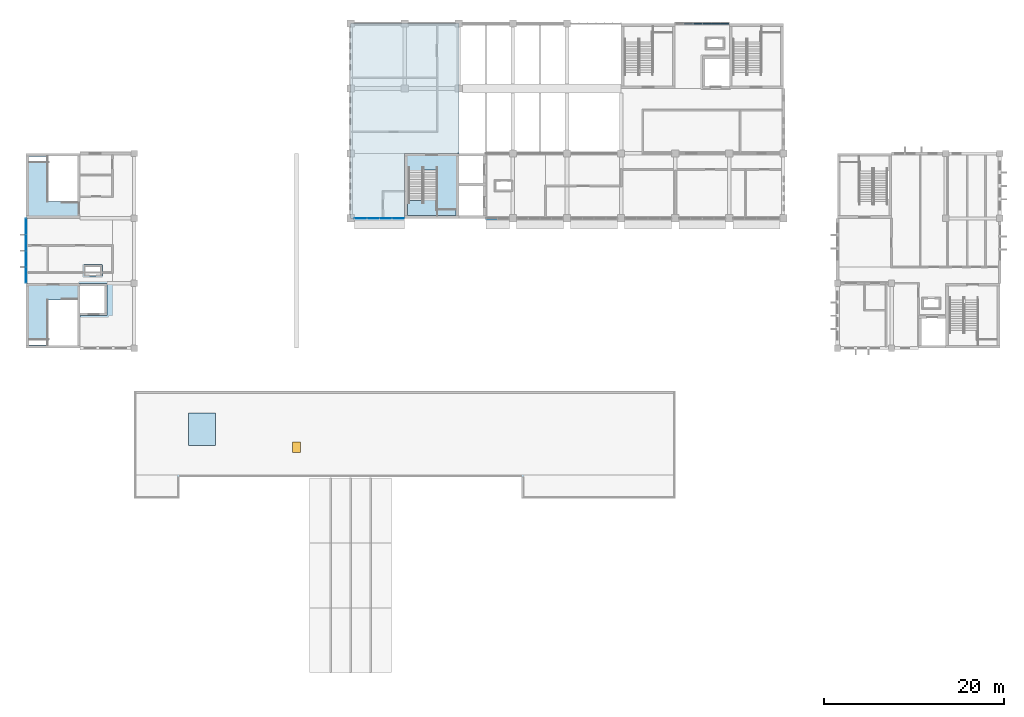
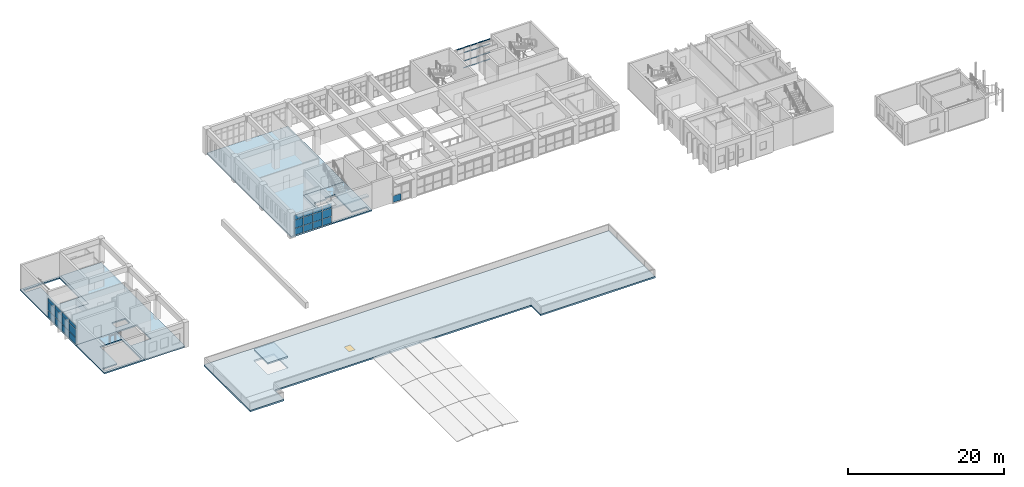
# One storey, part 25 of 47: 25 plates, 17 members, 8 slabs, 1 window, 1 opening, 5 elements without a shape of their own.
"""IFC4 building model written with IfcOpenShell, lengths in metres."""

from ifc_helpers import new_model, si_unit, direction, frame, origin, origin_2d, place, context, subcontext, project, spatial, polyline, rectangle, hollow_rectangle, outline, extrude, material, layer, layer_set, material_profile, profile_set, type_object, element, fill, aggregate, save


model = new_model("IFC4")

# Units and contexts
model_context = context("Model", 3, precision=1e-05, world=origin(), true_north=direction((0.0, 1.0)))
body_context = subcontext(model_context, "Body", "Model", "MODEL_VIEW")
ifc_project = project(units=[si_unit("LENGTHUNIT", "METRE"), si_unit("AREAUNIT", "SQUARE_METRE"), si_unit("VOLUMEUNIT", "CUBIC_METRE"), si_unit("PLANEANGLEUNIT", "RADIAN"), si_unit("MASSUNIT", "GRAM", prefix="KILO")], contexts=[model_context])

# Site, building, storey
site_placement = place(None, origin())
site = spatial("IfcSite", under=ifc_project, at=site_placement, CompositionType="ELEMENT")
building_placement = place(site_placement, origin())
building = spatial("IfcBuilding", under=site, at=building_placement, Name="Laocheng Heights Fire and Rescue Headquarters", CompositionType="ELEMENT")
storey_placement = place(building_placement, frame((0.0, 0.0, 16.800048828125)))
storey = spatial("IfcBuildingStorey", under=building, at=storey_placement, Name="L04", CompositionType="ELEMENT", Elevation=16.800048828125)

# Curtain wall, members
ifc_material_1 = material(Name="Dark anodised aluminium unitised curtain wall, low-e double glazing", Category="aluminium")
curtain_wall_type_1 = type_object("IfcCurtainWallType", Name="CW 6000 x 3200 HQ CONTROL ROOM FACE", PredefinedType="NOTDEFINED", material=ifc_material_1)
curtain_wall_1_placement = place(storey_placement, origin())
curtain_wall_1 = element("IfcCurtainWall", 1, at=curtain_wall_1_placement, inside=storey, type_object=curtain_wall_type_1, Name="X23-X HQ NORTH L04", PredefinedType="NOTDEFINED")
ifc_material_2 = material(Name="Dark anodised aluminium 6063-T5 extrusion", Category="aluminium")
ifc_material_profile = material_profile(ifc_material_2, hollow_rectangle(XDim=0.10009765625, YDim=0.050048828125, WallThickness=0.0029296875, at=origin_2d()), Name="AL TRANSOM 100x50x3 HQ CONTROL ROOM FACE")
ifc_profile_set = profile_set([ifc_material_profile], Name="Dark anodised aluminium 6063-T5 extrusion")
member_type = type_object("IfcMemberType", Name="AL TRANSOM 100x50x3 HQ CONTROL ROOM FACE", PredefinedType="USERDEFINED", material=ifc_profile_set)
member_1_placement = place(storey_placement, frame((73.030029296875, 72.0, 3.175048828125), z_axis=(1.0, 0.0, 0.0), x_axis=(0.0, 1.0, 0.0)))
member_1 = element("IfcMember", 2, at=member_1_placement, type_object=member_type, Name="X23-X transom 2.4", ObjectType="TRANSOM", PredefinedType="USERDEFINED", context=body_context, shape_type="SweptSolid", body=[
    extrude(hollow_rectangle(XDim=0.10009765625, YDim=0.050048828125, WallThickness=0.0029296875, at=origin_2d()), origin(), (0.0, 0.0, 1.0), 0.93994140625),
])
member_2_placement = place(storey_placement, frame((74.030029296875, 72.0, 0.02490234375), z_axis=(1.0, 0.0, 0.0), x_axis=(0.0, 1.0, 0.0)))
member_2 = element("IfcMember", 3, at=member_2_placement, type_object=member_type, Name="X23-X transom 3.1", ObjectType="TRANSOM", PredefinedType="USERDEFINED", context=body_context, shape_type="SweptSolid", body=[
    extrude(hollow_rectangle(XDim=0.10009765625, YDim=0.050048828125, WallThickness=0.0029296875, at=origin_2d()), origin(), (0.0, 0.0, 1.0), 0.93994140625),
])
member_3_placement = place(storey_placement, frame((74.030029296875, 72.0, 1.099853515625), z_axis=(1.0, 0.0, 0.0), x_axis=(0.0, 1.0, 0.0)))
member_3 = element("IfcMember", 4, at=member_3_placement, type_object=member_type, Name="X23-X transom 3.2", ObjectType="TRANSOM", PredefinedType="USERDEFINED", context=body_context, shape_type="SweptSolid", body=[
    extrude(hollow_rectangle(XDim=0.10009765625, YDim=0.050048828125, WallThickness=0.0029296875, at=origin_2d()), origin(), (0.0, 0.0, 1.0), 0.93994140625),
])
member_4_placement = place(storey_placement, frame((74.030029296875, 72.0, 2.39990234375), z_axis=(1.0, 0.0, 0.0), x_axis=(0.0, 1.0, 0.0)))
member_4 = element("IfcMember", 5, at=member_4_placement, type_object=member_type, Name="X23-X transom 3.3", ObjectType="TRANSOM", PredefinedType="USERDEFINED", context=body_context, shape_type="SweptSolid", body=[
    extrude(hollow_rectangle(XDim=0.10009765625, YDim=0.050048828125, WallThickness=0.0029296875, at=origin_2d()), origin(), (0.0, 0.0, 1.0), 0.93994140625),
])
member_5_placement = place(storey_placement, frame((74.030029296875, 72.0, 3.175048828125), z_axis=(1.0, 0.0, 0.0), x_axis=(0.0, 1.0, 0.0)))
member_5 = element("IfcMember", 6, at=member_5_placement, type_object=member_type, Name="X23-X transom 3.4", ObjectType="TRANSOM", PredefinedType="USERDEFINED", context=body_context, shape_type="SweptSolid", body=[
    extrude(hollow_rectangle(XDim=0.10009765625, YDim=0.050048828125, WallThickness=0.0029296875, at=origin_2d()), origin(), (0.0, 0.0, 1.0), 0.93994140625),
])
member_6_placement = place(storey_placement, frame((75.030029296875, 72.0, 0.02490234375), z_axis=(1.0, 0.0, 0.0), x_axis=(0.0, 1.0, 0.0)))
member_6 = element("IfcMember", 7, at=member_6_placement, type_object=member_type, Name="X23-X transom 4.1", ObjectType="TRANSOM", PredefinedType="USERDEFINED", context=body_context, shape_type="SweptSolid", body=[
    extrude(hollow_rectangle(XDim=0.10009765625, YDim=0.050048828125, WallThickness=0.0029296875, at=origin_2d()), origin(), (0.0, 0.0, 1.0), 0.93994140625),
])
member_7_placement = place(storey_placement, frame((75.030029296875, 72.0, 1.099853515625), z_axis=(1.0, 0.0, 0.0), x_axis=(0.0, 1.0, 0.0)))
member_7 = element("IfcMember", 8, at=member_7_placement, type_object=member_type, Name="X23-X transom 4.2", ObjectType="TRANSOM", PredefinedType="USERDEFINED", context=body_context, shape_type="SweptSolid", body=[
    extrude(hollow_rectangle(XDim=0.10009765625, YDim=0.050048828125, WallThickness=0.0029296875, at=origin_2d()), origin(), (0.0, 0.0, 1.0), 0.93994140625),
])
member_8_placement = place(storey_placement, frame((75.030029296875, 72.0, 2.39990234375), z_axis=(1.0, 0.0, 0.0), x_axis=(0.0, 1.0, 0.0)))
member_8 = element("IfcMember", 9, at=member_8_placement, type_object=member_type, Name="X23-X transom 4.3", ObjectType="TRANSOM", PredefinedType="USERDEFINED", context=body_context, shape_type="SweptSolid", body=[
    extrude(hollow_rectangle(XDim=0.10009765625, YDim=0.050048828125, WallThickness=0.0029296875, at=origin_2d()), origin(), (0.0, 0.0, 1.0), 0.93994140625),
])
member_9_placement = place(storey_placement, frame((75.030029296875, 72.0, 3.175048828125), z_axis=(1.0, 0.0, 0.0), x_axis=(0.0, 1.0, 0.0)))
member_9 = element("IfcMember", 10, at=member_9_placement, type_object=member_type, Name="X23-X transom 4.4", ObjectType="TRANSOM", PredefinedType="USERDEFINED", context=body_context, shape_type="SweptSolid", body=[
    extrude(hollow_rectangle(XDim=0.10009765625, YDim=0.050048828125, WallThickness=0.0029296875, at=origin_2d()), origin(), (0.0, 0.0, 1.0), 0.93994140625),
])
member_10_placement = place(storey_placement, frame((76.030029296875, 72.0, 0.02490234375), z_axis=(1.0, 0.0, 0.0), x_axis=(0.0, 1.0, 0.0)))
member_10 = element("IfcMember", 11, at=member_10_placement, type_object=member_type, Name="X23-X transom 5.1", ObjectType="TRANSOM", PredefinedType="USERDEFINED", context=body_context, shape_type="SweptSolid", body=[
    extrude(hollow_rectangle(XDim=0.10009765625, YDim=0.050048828125, WallThickness=0.0029296875, at=origin_2d()), origin(), (0.0, 0.0, 1.0), 0.93994140625),
])
member_11_placement = place(storey_placement, frame((76.030029296875, 72.0, 1.099853515625), z_axis=(1.0, 0.0, 0.0), x_axis=(0.0, 1.0, 0.0)))
member_11 = element("IfcMember", 12, at=member_11_placement, type_object=member_type, Name="X23-X transom 5.2", ObjectType="TRANSOM", PredefinedType="USERDEFINED", context=body_context, shape_type="SweptSolid", body=[
    extrude(hollow_rectangle(XDim=0.10009765625, YDim=0.050048828125, WallThickness=0.0029296875, at=origin_2d()), origin(), (0.0, 0.0, 1.0), 0.93994140625),
])
member_12_placement = place(storey_placement, frame((76.030029296875, 72.0, 2.39990234375), z_axis=(1.0, 0.0, 0.0), x_axis=(0.0, 1.0, 0.0)))
member_12 = element("IfcMember", 13, at=member_12_placement, type_object=member_type, Name="X23-X transom 5.3", ObjectType="TRANSOM", PredefinedType="USERDEFINED", context=body_context, shape_type="SweptSolid", body=[
    extrude(hollow_rectangle(XDim=0.10009765625, YDim=0.050048828125, WallThickness=0.0029296875, at=origin_2d()), origin(), (0.0, 0.0, 1.0), 0.93994140625),
])
member_13_placement = place(storey_placement, frame((76.030029296875, 72.0, 3.175048828125), z_axis=(1.0, 0.0, 0.0), x_axis=(0.0, 1.0, 0.0)))
member_13 = element("IfcMember", 14, at=member_13_placement, type_object=member_type, Name="X23-X transom 5.4", ObjectType="TRANSOM", PredefinedType="USERDEFINED", context=body_context, shape_type="SweptSolid", body=[
    extrude(hollow_rectangle(XDim=0.10009765625, YDim=0.050048828125, WallThickness=0.0029296875, at=origin_2d()), origin(), (0.0, 0.0, 1.0), 0.93994140625),
])
member_14_placement = place(storey_placement, frame((77.030029296875, 72.0, 0.02490234375), z_axis=(1.0, 0.0, 0.0), x_axis=(0.0, 1.0, 0.0)))
member_14 = element("IfcMember", 15, at=member_14_placement, type_object=member_type, Name="X23-X transom 6.1", ObjectType="TRANSOM", PredefinedType="USERDEFINED", context=body_context, shape_type="SweptSolid", body=[
    extrude(hollow_rectangle(XDim=0.10009765625, YDim=0.050048828125, WallThickness=0.0029296875, at=origin_2d()), origin(), (0.0, 0.0, 1.0), 0.909912109375),
])
member_15_placement = place(storey_placement, frame((77.030029296875, 72.0, 1.099853515625), z_axis=(1.0, 0.0, 0.0), x_axis=(0.0, 1.0, 0.0)))
member_15 = element("IfcMember", 16, at=member_15_placement, type_object=member_type, Name="X23-X transom 6.2", ObjectType="TRANSOM", PredefinedType="USERDEFINED", context=body_context, shape_type="SweptSolid", body=[
    extrude(hollow_rectangle(XDim=0.10009765625, YDim=0.050048828125, WallThickness=0.0029296875, at=origin_2d()), origin(), (0.0, 0.0, 1.0), 0.909912109375),
])
member_16_placement = place(storey_placement, frame((77.030029296875, 72.0, 2.39990234375), z_axis=(1.0, 0.0, 0.0), x_axis=(0.0, 1.0, 0.0)))
member_16 = element("IfcMember", 17, at=member_16_placement, type_object=member_type, Name="X23-X transom 6.3", ObjectType="TRANSOM", PredefinedType="USERDEFINED", context=body_context, shape_type="SweptSolid", body=[
    extrude(hollow_rectangle(XDim=0.10009765625, YDim=0.050048828125, WallThickness=0.0029296875, at=origin_2d()), origin(), (0.0, 0.0, 1.0), 0.909912109375),
])
member_17_placement = place(storey_placement, frame((77.030029296875, 72.0, 3.175048828125), z_axis=(1.0, 0.0, 0.0), x_axis=(0.0, 1.0, 0.0)))
member_17 = element("IfcMember", 18, at=member_17_placement, type_object=member_type, Name="X23-X transom 6.4", ObjectType="TRANSOM", PredefinedType="USERDEFINED", context=body_context, shape_type="SweptSolid", body=[
    extrude(hollow_rectangle(XDim=0.10009765625, YDim=0.050048828125, WallThickness=0.0029296875, at=origin_2d()), origin(), (0.0, 0.0, 1.0), 0.909912109375),
])
aggregate(curtain_wall_1, [member_1, member_2, member_3, member_4, member_5, member_6, member_7, member_8, member_9, member_10, member_11, member_12, member_13, member_14, member_15, member_16, member_17])

# Curtain wall, plates
ifc_material_3 = material(Name="Dark anodised aluminium unitised curtain wall, low-e double glazing", Category="aluminium")
curtain_wall_type_2 = type_object("IfcCurtainWallType", Name="CW 7200 x 3050 FOYER GLAZING", PredefinedType="NOTDEFINED", material=ifc_material_3)
curtain_wall_2_placement = place(storey_placement, origin())
curtain_wall_2 = element("IfcCurtainWall", 19, at=curtain_wall_2_placement, inside=storey, type_object=curtain_wall_type_2, Name="X4-V FOYER WEST L04", PredefinedType="NOTDEFINED")
ifc_material_4 = material(Name="Laminated safety glass, low-e double glazed unit", Category="glass")
ifc_layer_1 = layer(ifc_material_4, 0.0400390625)
ifc_layer_set_1 = layer_set([ifc_layer_1], Name="Laminated safety glass, low-e double glazed unit")
plate_type_1 = type_object("IfcPlateType", Name="CW LAMINATED SAFETY PANEL 40 V", PredefinedType="CURTAIN_PANEL", material=ifc_layer_set_1)
plate_1_placement = place(storey_placement, frame((0.0, 44.114990234375, 0.050048828125), z_axis=(0.0, 0.0, 1.0), x_axis=(0.0, 1.0, 0.0)))
plate_1 = element("IfcPlate", 20, at=plate_1_placement, type_object=plate_type_1, Name="X4-V panel 1.1", PredefinedType="CURTAIN_PANEL", context=body_context, shape_type="SweptSolid", body=[
    extrude(rectangle(XDim=1.7099609375, YDim=0.0400390625, at=origin_2d()), origin(), (0.0, 0.0, 1.0), 1.02490234375),
])
plate_2_placement = place(storey_placement, frame((0.0, 45.89990234375, 0.050048828125), z_axis=(0.0, 0.0, 1.0), x_axis=(0.0, 1.0, 0.0)))
plate_2 = element("IfcPlate", 21, at=plate_2_placement, type_object=plate_type_1, Name="X4-V panel 2.1", PredefinedType="CURTAIN_PANEL", context=body_context, shape_type="SweptSolid", body=[
    extrude(rectangle(XDim=1.739990234375, YDim=0.0400390625, at=origin_2d()), origin(), (0.0, 0.0, 1.0), 1.02490234375),
])
plate_3_placement = place(storey_placement, frame((0.0, 47.699951171875, 0.050048828125), z_axis=(0.0, 0.0, 1.0), x_axis=(0.0, 1.0, 0.0)))
plate_3 = element("IfcPlate", 22, at=plate_3_placement, type_object=plate_type_1, Name="X4-V panel 3.1", PredefinedType="CURTAIN_PANEL", context=body_context, shape_type="SweptSolid", body=[
    extrude(rectangle(XDim=1.739990234375, YDim=0.0400390625, at=origin_2d()), origin(), (0.0, 0.0, 1.0), 1.02490234375),
])
plate_4_placement = place(storey_placement, frame((0.0, 49.485107421875, 0.050048828125), z_axis=(0.0, 0.0, 1.0), x_axis=(0.0, 1.0, 0.0)))
plate_4 = element("IfcPlate", 23, at=plate_4_placement, type_object=plate_type_1, Name="X4-V panel 4.1", PredefinedType="CURTAIN_PANEL", context=body_context, shape_type="SweptSolid", body=[
    extrude(rectangle(XDim=1.7099609375, YDim=0.0400390625, at=origin_2d()), origin(), (0.0, 0.0, 1.0), 1.02490234375),
])

ifc_material_5 = material(Name="Dark anodised aluminium unitised curtain wall, low-e double glazing", Category="aluminium")
curtain_wall_type_3 = type_object("IfcCurtainWallType", Name="CW 5600 x 3200 HQ SOUTH RIBBON", PredefinedType="NOTDEFINED", material=ifc_material_5)
curtain_wall_3_placement = place(storey_placement, origin())
curtain_wall_3 = element("IfcCurtainWall", 24, at=curtain_wall_3_placement, inside=storey, type_object=curtain_wall_type_3, Name="X11-X HQ SOUTH L04", PredefinedType="NOTDEFINED")
ifc_material_6 = material(Name="Laminated safety glass, low-e double glazed unit", Category="glass")
ifc_layer_2 = layer(ifc_material_6, 0.0400390625)
ifc_layer_set_2 = layer_set([ifc_layer_2], Name="Laminated safety glass, low-e double glazed unit")
plate_type_2 = type_object("IfcPlateType", Name="CW LAMINATED SAFETY PANEL 40 X", PredefinedType="CURTAIN_PANEL", material=ifc_layer_set_2)
plate_5_placement = place(storey_placement, frame((37.114990234375, 50.39990234375, 0.050048828125), z_axis=(0.0, 0.0, 1.0), x_axis=(1.0, 0.0, 0.0)))
plate_5 = element("IfcPlate", 25, at=plate_5_placement, type_object=plate_type_2, Name="X11-X panel 1.1", PredefinedType="CURTAIN_PANEL", context=body_context, shape_type="SweptSolid", body=[
    extrude(rectangle(XDim=1.31005859375, YDim=0.0400390625, at=origin_2d()), origin(), (0.0, 0.0, 1.0), 1.02490234375),
])
plate_6_placement = place(storey_placement, frame((38.5, 50.39990234375, 0.050048828125), z_axis=(0.0, 0.0, 1.0), x_axis=(1.0, 0.0, 0.0)))
plate_6 = element("IfcPlate", 26, at=plate_6_placement, type_object=plate_type_2, Name="X11-X panel 2.1", PredefinedType="CURTAIN_PANEL", context=body_context, shape_type="SweptSolid", body=[
    extrude(rectangle(XDim=1.340087890625, YDim=0.0400390625, at=origin_2d()), origin(), (0.0, 0.0, 1.0), 1.02490234375),
])
plate_7_placement = place(storey_placement, frame((39.89990234375, 50.39990234375, 0.050048828125), z_axis=(0.0, 0.0, 1.0), x_axis=(1.0, 0.0, 0.0)))
plate_7 = element("IfcPlate", 27, at=plate_7_placement, type_object=plate_type_2, Name="X11-X panel 3.1", PredefinedType="CURTAIN_PANEL", context=body_context, shape_type="SweptSolid", body=[
    extrude(rectangle(XDim=1.340087890625, YDim=0.0400390625, at=origin_2d()), origin(), (0.0, 0.0, 1.0), 1.02490234375),
])
plate_8_placement = place(storey_placement, frame((41.284912109375, 50.39990234375, 0.050048828125), z_axis=(0.0, 0.0, 1.0), x_axis=(1.0, 0.0, 0.0)))
plate_8 = element("IfcPlate", 28, at=plate_8_placement, type_object=plate_type_2, Name="X11-X panel 4.1", PredefinedType="CURTAIN_PANEL", context=body_context, shape_type="SweptSolid", body=[
    extrude(rectangle(XDim=1.31005859375, YDim=0.0400390625, at=origin_2d()), origin(), (0.0, 0.0, 1.0), 1.02490234375),
])

# Curtain wall, plate
ifc_material_7 = material(Name="Dark anodised aluminium unitised curtain wall, low-e double glazing", Category="aluminium")
curtain_wall_type_4 = type_object("IfcCurtainWallType", Name="CW 2600 x 3200 HQ SOUTH RIBBON", PredefinedType="NOTDEFINED", material=ifc_material_7)
curtain_wall_4_placement = place(storey_placement, origin())
curtain_wall_4 = element("IfcCurtainWall", 29, at=curtain_wall_4_placement, inside=storey, type_object=curtain_wall_type_4, Name="X12-X HQ SOUTH L04", PredefinedType="NOTDEFINED")
plate_9_placement = place(storey_placement, frame((51.6650390625, 50.39990234375, 0.050048828125), z_axis=(0.0, 0.0, 1.0), x_axis=(1.0, 0.0, 0.0)))
plate_9 = element("IfcPlate", 30, at=plate_9_placement, type_object=plate_type_2, Name="X12-X panel 1.1", PredefinedType="CURTAIN_PANEL", context=body_context, shape_type="SweptSolid", body=[
    extrude(rectangle(XDim=1.2099609375, YDim=0.0400390625, at=origin_2d()), origin(), (0.0, 0.0, 1.0), 1.02490234375),
])
aggregate(curtain_wall_4, [plate_9])

# Plate
ifc_material_8 = material(Name="Low-e double glazed unit, laminated inner pane")
ifc_layer_3 = layer(ifc_material_8, 0.028076171875)
ifc_layer_set_3 = layer_set([ifc_layer_3], Name="Low-e double glazed unit, laminated inner pane")
plate_type_3 = type_object("IfcPlateType", Name="CW VISION PANEL 28 V", PredefinedType="CURTAIN_PANEL", material=ifc_layer_set_3)
plate_10_placement = place(storey_placement, frame((0.0, 44.114990234375, 1.125), z_axis=(0.0, 0.0, 1.0), x_axis=(0.0, 1.0, 0.0)))
plate_10 = element("IfcPlate", 31, at=plate_10_placement, type_object=plate_type_3, Name="X4-V panel 1.2", PredefinedType="CURTAIN_PANEL", context=body_context, shape_type="SweptSolid", body=[
    extrude(rectangle(XDim=1.7099609375, YDim=0.028076171875, at=origin_2d()), origin(), (0.0, 0.0, 1.0), 1.25),
])

plate_11_placement = place(storey_placement, frame((0.0, 44.114990234375, 2.4248046875), z_axis=(0.0, 0.0, 1.0), x_axis=(0.0, 1.0, 0.0)))
plate_11 = element("IfcPlate", 32, at=plate_11_placement, type_object=plate_type_3, Name="X4-V panel 1.3", PredefinedType="CURTAIN_PANEL", context=body_context, shape_type="SweptSolid", body=[
    extrude(rectangle(XDim=1.7099609375, YDim=0.028076171875, at=origin_2d()), origin(), (0.0, 0.0, 1.0), 0.574951171875),
])

plate_12_placement = place(storey_placement, frame((0.0, 45.89990234375, 1.125), z_axis=(0.0, 0.0, 1.0), x_axis=(0.0, 1.0, 0.0)))
plate_12 = element("IfcPlate", 33, at=plate_12_placement, type_object=plate_type_3, Name="X4-V panel 2.2", PredefinedType="CURTAIN_PANEL", context=body_context, shape_type="SweptSolid", body=[
    extrude(rectangle(XDim=1.739990234375, YDim=0.028076171875, at=origin_2d()), origin(), (0.0, 0.0, 1.0), 1.25),
])

plate_13_placement = place(storey_placement, frame((0.0, 45.89990234375, 2.4248046875), z_axis=(0.0, 0.0, 1.0), x_axis=(0.0, 1.0, 0.0)))
plate_13 = element("IfcPlate", 34, at=plate_13_placement, type_object=plate_type_3, Name="X4-V panel 2.3", PredefinedType="CURTAIN_PANEL", context=body_context, shape_type="SweptSolid", body=[
    extrude(rectangle(XDim=1.739990234375, YDim=0.028076171875, at=origin_2d()), origin(), (0.0, 0.0, 1.0), 0.574951171875),
])

plate_14_placement = place(storey_placement, frame((0.0, 47.699951171875, 1.125), z_axis=(0.0, 0.0, 1.0), x_axis=(0.0, 1.0, 0.0)))
plate_14 = element("IfcPlate", 35, at=plate_14_placement, type_object=plate_type_3, Name="X4-V panel 3.2", PredefinedType="CURTAIN_PANEL", context=body_context, shape_type="SweptSolid", body=[
    extrude(rectangle(XDim=1.739990234375, YDim=0.028076171875, at=origin_2d()), origin(), (0.0, 0.0, 1.0), 1.25),
])

plate_15_placement = place(storey_placement, frame((0.0, 47.699951171875, 2.4248046875), z_axis=(0.0, 0.0, 1.0), x_axis=(0.0, 1.0, 0.0)))
plate_15 = element("IfcPlate", 36, at=plate_15_placement, type_object=plate_type_3, Name="X4-V panel 3.3", PredefinedType="CURTAIN_PANEL", context=body_context, shape_type="SweptSolid", body=[
    extrude(rectangle(XDim=1.739990234375, YDim=0.028076171875, at=origin_2d()), origin(), (0.0, 0.0, 1.0), 0.574951171875),
])

plate_16_placement = place(storey_placement, frame((0.0, 49.485107421875, 1.125), z_axis=(0.0, 0.0, 1.0), x_axis=(0.0, 1.0, 0.0)))
plate_16 = element("IfcPlate", 37, at=plate_16_placement, type_object=plate_type_3, Name="X4-V panel 4.2", PredefinedType="CURTAIN_PANEL", context=body_context, shape_type="SweptSolid", body=[
    extrude(rectangle(XDim=1.7099609375, YDim=0.028076171875, at=origin_2d()), origin(), (0.0, 0.0, 1.0), 1.25),
])

plate_17_placement = place(storey_placement, frame((0.0, 49.485107421875, 2.4248046875), z_axis=(0.0, 0.0, 1.0), x_axis=(0.0, 1.0, 0.0)))
plate_17 = element("IfcPlate", 38, at=plate_17_placement, type_object=plate_type_3, Name="X4-V panel 4.3", PredefinedType="CURTAIN_PANEL", context=body_context, shape_type="SweptSolid", body=[
    extrude(rectangle(XDim=1.7099609375, YDim=0.028076171875, at=origin_2d()), origin(), (0.0, 0.0, 1.0), 0.574951171875),
])

aggregate(curtain_wall_2, [plate_1, plate_10, plate_11, plate_2, plate_12, plate_13, plate_3, plate_14, plate_15, plate_4, plate_16, plate_17])

ifc_material_9 = material(Name="Low-e double glazed unit, laminated inner pane")
ifc_layer_4 = layer(ifc_material_9, 0.028076171875)
ifc_layer_set_4 = layer_set([ifc_layer_4], Name="Low-e double glazed unit, laminated inner pane")
plate_type_4 = type_object("IfcPlateType", Name="CW VISION PANEL 28 X", PredefinedType="CURTAIN_PANEL", material=ifc_layer_set_4)
plate_18_placement = place(storey_placement, frame((37.114990234375, 50.39990234375, 1.125), z_axis=(0.0, 0.0, 1.0), x_axis=(1.0, 0.0, 0.0)))
plate_18 = element("IfcPlate", 39, at=plate_18_placement, type_object=plate_type_4, Name="X11-X panel 1.2", PredefinedType="CURTAIN_PANEL", context=body_context, shape_type="SweptSolid", body=[
    extrude(rectangle(XDim=1.31005859375, YDim=0.028076171875, at=origin_2d()), origin(), (0.0, 0.0, 1.0), 1.25),
])

plate_19_placement = place(storey_placement, frame((37.114990234375, 50.39990234375, 2.4248046875), z_axis=(0.0, 0.0, 1.0), x_axis=(1.0, 0.0, 0.0)))
plate_19 = element("IfcPlate", 40, at=plate_19_placement, type_object=plate_type_4, Name="X11-X panel 1.3", PredefinedType="CURTAIN_PANEL", context=body_context, shape_type="SweptSolid", body=[
    extrude(rectangle(XDim=1.31005859375, YDim=0.028076171875, at=origin_2d()), origin(), (0.0, 0.0, 1.0), 0.72509765625),
])

plate_20_placement = place(storey_placement, frame((38.5, 50.39990234375, 1.125), z_axis=(0.0, 0.0, 1.0), x_axis=(1.0, 0.0, 0.0)))
plate_20 = element("IfcPlate", 41, at=plate_20_placement, type_object=plate_type_4, Name="X11-X panel 2.2", PredefinedType="CURTAIN_PANEL", context=body_context, shape_type="SweptSolid", body=[
    extrude(rectangle(XDim=1.340087890625, YDim=0.028076171875, at=origin_2d()), origin(), (0.0, 0.0, 1.0), 1.25),
])

plate_21_placement = place(storey_placement, frame((38.5, 50.39990234375, 2.4248046875), z_axis=(0.0, 0.0, 1.0), x_axis=(1.0, 0.0, 0.0)))
plate_21 = element("IfcPlate", 42, at=plate_21_placement, type_object=plate_type_4, Name="X11-X panel 2.3", PredefinedType="CURTAIN_PANEL", context=body_context, shape_type="SweptSolid", body=[
    extrude(rectangle(XDim=1.340087890625, YDim=0.028076171875, at=origin_2d()), origin(), (0.0, 0.0, 1.0), 0.72509765625),
])

plate_22_placement = place(storey_placement, frame((39.89990234375, 50.39990234375, 1.125), z_axis=(0.0, 0.0, 1.0), x_axis=(1.0, 0.0, 0.0)))
plate_22 = element("IfcPlate", 43, at=plate_22_placement, type_object=plate_type_4, Name="X11-X panel 3.2", PredefinedType="CURTAIN_PANEL", context=body_context, shape_type="SweptSolid", body=[
    extrude(rectangle(XDim=1.340087890625, YDim=0.028076171875, at=origin_2d()), origin(), (0.0, 0.0, 1.0), 1.25),
])

plate_23_placement = place(storey_placement, frame((39.89990234375, 50.39990234375, 2.4248046875), z_axis=(0.0, 0.0, 1.0), x_axis=(1.0, 0.0, 0.0)))
plate_23 = element("IfcPlate", 44, at=plate_23_placement, type_object=plate_type_4, Name="X11-X panel 3.3", PredefinedType="CURTAIN_PANEL", context=body_context, shape_type="SweptSolid", body=[
    extrude(rectangle(XDim=1.340087890625, YDim=0.028076171875, at=origin_2d()), origin(), (0.0, 0.0, 1.0), 0.72509765625),
])

plate_24_placement = place(storey_placement, frame((41.284912109375, 50.39990234375, 1.125), z_axis=(0.0, 0.0, 1.0), x_axis=(1.0, 0.0, 0.0)))
plate_24 = element("IfcPlate", 45, at=plate_24_placement, type_object=plate_type_4, Name="X11-X panel 4.2", PredefinedType="CURTAIN_PANEL", context=body_context, shape_type="SweptSolid", body=[
    extrude(rectangle(XDim=1.31005859375, YDim=0.028076171875, at=origin_2d()), origin(), (0.0, 0.0, 1.0), 1.25),
])

plate_25_placement = place(storey_placement, frame((41.284912109375, 50.39990234375, 2.4248046875), z_axis=(0.0, 0.0, 1.0), x_axis=(1.0, 0.0, 0.0)))
plate_25 = element("IfcPlate", 46, at=plate_25_placement, type_object=plate_type_4, Name="X11-X panel 4.3", PredefinedType="CURTAIN_PANEL", context=body_context, shape_type="SweptSolid", body=[
    extrude(rectangle(XDim=1.31005859375, YDim=0.028076171875, at=origin_2d()), origin(), (0.0, 0.0, 1.0), 0.72509765625),
])

aggregate(curtain_wall_3, [plate_5, plate_18, plate_19, plate_6, plate_20, plate_21, plate_7, plate_22, plate_23, plate_8, plate_24, plate_25])

# Slabs
ifc_material_10 = material(Name="Concrete C40", Category="concrete")
ifc_layer_5 = layer(ifc_material_10, 0.199951171875)
ifc_layer_set_5 = layer_set([ifc_layer_5], Name="Concrete C40")
slab_type_1 = type_object("IfcSlabType", Name="RC FLOOR SLAB 200 FOYER", PredefinedType="FLOOR", material=ifc_layer_set_5)
slab_1_placement = place(storey_placement, frame((0.0, 0.0, -0.199951171875)))
element("IfcSlab", 47, at=slab_1_placement, inside=storey, type_object=slab_type_1, Name="Foyer floor L04", PredefinedType="FLOOR", context=body_context, shape_type="SweptSolid", body=[
    extrude(outline(polyline([(12.0, 57.60009765625), (6.0, 57.60009765625), (6.0, 50.39990234375), (0.0, 50.39990234375), (0.0, 43.199951171875), (9.0, 43.199951171875), (9.0, 39.60009765625), (6.0, 39.60009765625), (6.0, 36.0), (12.0, 36.0), (12.0, 57.60009765625)]), holes=[polyline([(8.39990234375, 45.199951171875), (8.39990234375, 44.0), (6.39990234375, 44.0), (6.39990234375, 45.199951171875), (8.39990234375, 45.199951171875)])]), origin(), (0.0, 0.0, 1.0), 0.199951171875),
])
ifc_material_11 = material(Name="Concrete C40", Category="concrete")
ifc_layer_6 = layer(ifc_material_11, 0.199951171875)
ifc_layer_set_6 = layer_set([ifc_layer_6], Name="Concrete C40")
slab_type_2 = type_object("IfcSlabType", Name="RC FLOOR SLAB 200 HQ", PredefinedType="FLOOR", material=ifc_layer_set_6)
slab_2_placement = place(storey_placement, frame((0.0, 0.0, -0.199951171875)))
element("IfcSlab", 48, at=slab_2_placement, inside=storey, type_object=slab_type_2, Name="HQ floor L04", PredefinedType="FLOOR", context=body_context, shape_type="SweptSolid", body=[
    extrude(outline(polyline([(36.0, 50.39990234375), (42.0, 50.39990234375), (42.0, 57.60009765625), (48.0, 57.60009765625), (48.0, 72.0), (36.0, 72.0), (36.0, 50.39990234375)])), origin(), (0.0, 0.0, 1.0), 0.199951171875),
])

# Slab, opening, window
ifc_material_12 = material(Name="Concrete C40", Category="concrete")
ifc_layer_7 = layer(ifc_material_12, 0.25)
ifc_layer_set_7 = layer_set([ifc_layer_7], Name="Concrete C40")
slab_type_3 = type_object("IfcSlabType", Name="RC GALLERY ROOF SLAB 250", PredefinedType="ROOF", material=ifc_layer_set_7)
slab_3_placement = place(storey_placement, frame((0.0, 0.0, -0.25)))
slab_3 = element("IfcSlab", 49, at=slab_3_placement, inside=storey, type_object=slab_type_3, Name="Gallery roof slab", PredefinedType="ROOF", context=body_context, shape_type="SweptSolid", body=[
    extrude(outline(polyline([(12.0, 19.35009765625), (17.0, 19.35009765625), (17.0, 21.75), (55.0, 21.75), (55.0, 19.35009765625), (72.0, 19.35009765625), (72.0, 31.199951171875), (12.0, 31.199951171875), (12.0, 19.35009765625)]), holes=[polyline([(21.0, 28.800048828125), (21.0, 25.199951171875), (18.0, 25.199951171875), (18.0, 28.800048828125), (21.0, 28.800048828125)])]), origin(), (0.0, 0.0, 1.0), 0.25),
])
opening_placement = place(slab_3_placement, frame((30.0, 25.0, 0.0)))
opening = element("IfcOpeningElement", 50, at=opening_placement, cuts=slab_3, Name="Opening N1-O", PredefinedType="OPENING", context=body_context, shape_type="SweptSolid", body=[
    extrude(rectangle(XDim=0.89990234375, YDim=1.199951171875, at=origin_2d()), origin(), (0.0, 0.0, 1.0), 0.25),
])
ifc_material_13 = material(Name="Aluminium framed insulated hatch with glazed curb", Category="aluminium")
window_type = type_object("IfcWindowType", Name="ROOF ACCESS HATCH 900 x 1200", PartitioningType="SINGLE_PANEL", PredefinedType="SKYLIGHT", material=ifc_material_13)
window_placement = place(opening_placement, frame((0.0, 0.0, 0.199951171875)))
window = element("IfcWindow", 51, at=window_placement, inside=storey, type_object=window_type, Name="Roof hatch Gallery", OverallHeight=1.199951171875, OverallWidth=0.89990234375, PartitioningType="SINGLE_PANEL", PredefinedType="SKYLIGHT", context=body_context, shape_type="SweptSolid", body=[
    extrude(rectangle(XDim=0.89990234375, YDim=1.199951171875, at=origin_2d()), origin(), (0.0, 0.0, 1.0), 0.050048828125),
])
fill(opening, window)

# Slabs
ifc_material_14 = material(Name="Concrete C40", Category="concrete")
ifc_layer_8 = layer(ifc_material_14, 0.25)
ifc_layer_set_8 = layer_set([ifc_layer_8], Name="Concrete C40")
slab_type_4 = type_object("IfcSlabType", Name="RC LIFT HOUSING ROOF SLAB 250", PredefinedType="ROOF", material=ifc_layer_set_8)
slab_4_placement = place(storey_placement, frame((0.0, 0.0, 1.550048828125)))
element("IfcSlab", 52, at=slab_4_placement, inside=storey, type_object=slab_type_4, Name="Lift overrun roof slab G-L1", PredefinedType="ROOF", context=body_context, shape_type="SweptSolid", body=[
    extrude(outline(polyline([(18.0, 25.199951171875), (21.0, 25.199951171875), (21.0, 28.800048828125), (18.0, 28.800048828125), (18.0, 25.199951171875)])), origin(), (0.0, 0.0, 1.0), 0.25),
])
ifc_material_15 = material(Name="Concrete C40", Category="concrete")
ifc_layer_9 = layer(ifc_material_15, 0.199951171875)
ifc_layer_set_9 = layer_set([ifc_layer_9], Name="Concrete C40")
slab_type_5 = type_object("IfcSlabType", Name="STAIR FLOOR LANDING 200", PredefinedType="LANDING", material=ifc_layer_set_9)
slab_5_placement = place(storey_placement, frame((0.0, 0.0, -0.199951171875)))
element("IfcSlab", 53, at=slab_5_placement, inside=storey, type_object=slab_type_5, Name="Stair P1 floor landing L04", PredefinedType="LANDING", context=body_context, shape_type="SweptSolid", body=[
    extrude(outline(polyline([(0.0, 43.199951171875), (6.0, 43.199951171875), (6.0, 36.0), (0.0, 36.0), (0.0, 43.199951171875)]), holes=[polyline([(3.875, 36.300048828125), (5.699951171875, 36.300048828125), (5.699951171875, 41.35009765625), (3.875, 41.35009765625), (3.875, 41.346923828125), (2.47509765625, 41.346923828125), (2.47509765625, 38.270263671875), (2.47509765625, 36.949951171875), (0.35009765625, 36.949951171875), (0.35009765625, 36.35009765625), (2.47509765625, 36.35009765625), (2.47509765625, 36.300048828125), (3.875, 36.300048828125)])]), origin(), (0.0, 0.0, 1.0), 0.199951171875),
])
slab_6_placement = place(storey_placement, frame((0.0, 0.0, -0.199951171875)))
element("IfcSlab", 54, at=slab_6_placement, inside=storey, type_object=slab_type_5, Name="Stair P2 floor landing L04", PredefinedType="LANDING", context=body_context, shape_type="SweptSolid", body=[
    extrude(outline(polyline([(0.0, 57.60009765625), (6.0, 57.60009765625), (6.0, 50.39990234375), (0.0, 50.39990234375), (0.0, 57.60009765625)]), holes=[polyline([(3.875, 52.25), (5.699951171875, 52.25), (5.699951171875, 57.300048828125), (3.875, 57.300048828125), (2.47509765625, 57.300048828125), (2.47509765625, 57.25), (0.35009765625, 57.25), (0.35009765625, 56.64990234375), (2.47509765625, 56.64990234375), (2.47509765625, 55.329833984375), (2.47509765625, 52.2529296875), (3.875, 52.2529296875), (3.875, 52.25)])]), origin(), (0.0, 0.0, 1.0), 0.199951171875),
])

# Stair, slabs
ifc_material_16 = material(Name="Concrete C40", Category="concrete")
stair_type = type_object("IfcStairType", Name="RC STAIR 1400 TWO FLIGHTS 28 RISERS OF 150 GOING 260", PredefinedType="HALF_TURN_STAIR", material=ifc_material_16)
stair_placement = place(storey_placement, origin())
stair = element("IfcStair", 55, at=stair_placement, inside=storey, type_object=stair_type, Name="Stair H1 (L04 to L05)", PredefinedType="HALF_TURN_STAIR")
slab_7_placement = place(storey_placement, frame((0.0, 0.0, -0.199951171875)))
slab_7 = element("IfcSlab", 56, at=slab_7_placement, type_object=slab_type_5, Name="Stair H1 floor landing L04", PredefinedType="LANDING", context=body_context, shape_type="SweptSolid", body=[
    extrude(outline(polyline([(42.0, 57.60009765625), (48.0, 57.60009765625), (48.0, 50.39990234375), (42.0, 50.39990234375), (42.0, 57.60009765625)]), holes=[polyline([(45.52490234375, 50.699951171875), (47.699951171875, 50.699951171875), (47.699951171875, 51.300048828125), (47.64990234375, 51.300048828125), (47.64990234375, 51.35009765625), (45.52490234375, 51.35009765625), (45.52490234375, 52.670166015625), (45.52490234375, 55.7470703125), (44.125, 55.7470703125), (44.125, 55.449951171875), (42.300048828125, 55.449951171875), (42.300048828125, 52.373046875), (42.300048828125, 50.699951171875), (44.125, 50.699951171875), (45.52490234375, 50.699951171875)])]), origin(), (0.0, 0.0, 1.0), 0.199951171875),
])
ifc_material_17 = material(Name="Concrete C40", Category="concrete")
ifc_layer_10 = layer(ifc_material_17, 0.201904296875)
ifc_layer_set_10 = layer_set([ifc_layer_10], Name="Concrete C40")
slab_type_6 = type_object("IfcSlabType", Name="STAIR HALF LANDING 202", PredefinedType="LANDING", material=ifc_layer_set_10)
slab_8_placement = place(storey_placement, frame((0.0, 0.0, 1.89990234375)))
slab_8 = element("IfcSlab", 57, at=slab_8_placement, type_object=slab_type_6, Name="H1-L04 landing 1", PredefinedType="LANDING", context=body_context, shape_type="SweptSolid", body=[
    extrude(outline(polyline([(47.699951171875, 51.300048828125), (47.699951171875, 50.699951171875), (45.52490234375, 50.699951171875), (44.125, 50.699951171875), (42.300048828125, 50.699951171875), (42.300048828125, 52.373046875), (44.125, 52.373046875), (44.125, 52.670166015625), (45.52490234375, 52.670166015625), (45.52490234375, 51.300048828125), (47.699951171875, 51.300048828125)])), origin(), (0.0, 0.0, 1.0), 0.2021484375),
])
aggregate(stair, [slab_8, slab_7])

save(model, "model.ifc")
